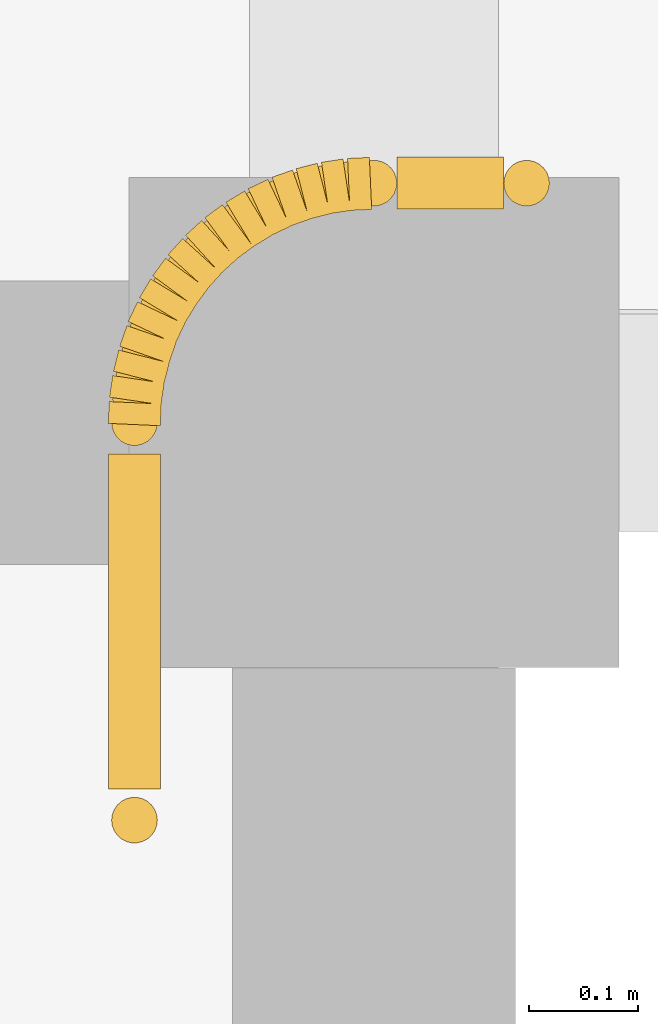
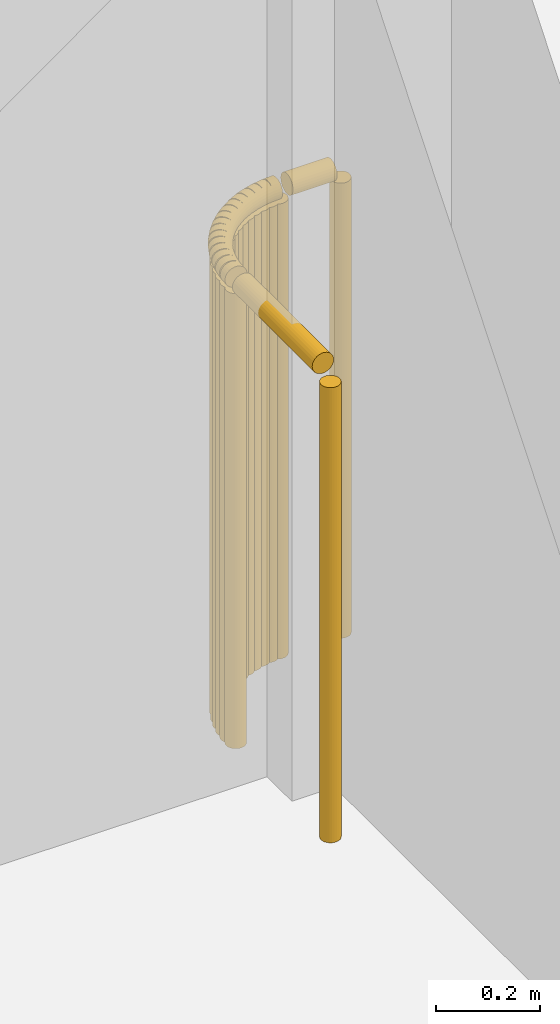
# One storey, part 57 of 57: 1 railing.
"""IFC4 building model written with IfcOpenShell, lengths in metres."""

import ifcopenshell
import ifcopenshell.guid

model = None  # the IFC model being written
_history = None  # IfcOwnerHistory: only IFC2X3 demands one
_inside = {}  # id of a spatial element -> (the spatial element, [elements in it])
_under = {}  # id of a project, library or spatial element -> (it, [spatial elements below it])
_declared = {}  # id of a project -> (the project, [libraries it declares])
_typed = {}  # id of a type object -> (the type object, [elements of that type])
_made_of = {}  # id of a material, layer set ... -> (it, [elements and type objects made of it])


def new_model(schema):
    """Start an empty IFC model of exactly this schema.

    Asked for "IFC4X3", IfcOpenShell would pick the latest addendum, in which some entities
    have other attributes; the version numbers below select the first issue.
    IFC2X3 requires an IfcOwnerHistory on every rooted entity: one is made here for all.
    """
    global model, _history
    if schema == "IFC4X3":
        model = ifcopenshell.file(schema_version=(4, 3, 0, 0))
    else:
        model = ifcopenshell.file(schema=schema)
    _inside.clear()
    _under.clear()
    _declared.clear()
    _typed.clear()
    _made_of.clear()
    _history = None
    if model.schema == "IFC2X3":
        org = make("IfcOrganization", Name="unknown")
        user = make(
            "IfcPersonAndOrganization",
            ThePerson=make("IfcPerson", FamilyName="unknown"),
            TheOrganization=org,
        )
        app = make(
            "IfcApplication",
            ApplicationDeveloper=org,
            Version="unknown",
            ApplicationFullName="unknown",
            ApplicationIdentifier="unknown",
        )
        _history = make(
            "IfcOwnerHistory",
            OwningUser=user,
            OwningApplication=app,
            ChangeAction="ADDED",
            CreationDate=0,
        )
    return model


def make(cls, **values):
    """One entity of the class cls with the attributes given. An attribute that is None is left unset."""
    return model.create_entity(
        cls, **{name: value for name, value in values.items() if value is not None}
    )


def rooted(cls, **values):
    """An entity with a GlobalId (a new one), such as an element, a storey or a relation."""
    return make(cls, GlobalId=ifcopenshell.guid.new(), OwnerHistory=_history, **values)


def si_unit(unit_type, name, prefix=None):
    """IfcSIUnit, for example si_unit("LENGTHUNIT", "METRE", prefix="MILLI")."""
    return make("IfcSIUnit", UnitType=unit_type, Prefix=prefix, Name=name)


def assignment(units):
    """IfcUnitAssignment: the units of a project."""
    return None if units is None else make("IfcUnitAssignment", Units=units)


def point(xyz):
    """IfcCartesianPoint."""
    return None if xyz is None else make("IfcCartesianPoint", Coordinates=xyz)


def direction(xyz):
    """IfcDirection."""
    return None if xyz is None else make("IfcDirection", DirectionRatios=xyz)


def frame(location, z_axis=None, x_axis=None):
    """IfcAxis2Placement3D, a coordinate frame: its origin and axes. An axis left out is left unset."""
    return make(
        "IfcAxis2Placement3D",
        Location=point(location),
        Axis=direction(z_axis),
        RefDirection=direction(x_axis),
    )


def frame_2d(location, x_axis=None):
    """IfcAxis2Placement2D, a coordinate frame in the plane: its origin and x axis."""
    return make(
        "IfcAxis2Placement2D", Location=point(location), RefDirection=direction(x_axis)
    )


def origin():
    """The frame at (0, 0, 0) with its axes left unset."""
    return frame((0.0, 0.0, 0.0))


def origin_2d():
    """The frame at (0, 0) in the plane with its x axis left unset."""
    return frame_2d((0.0, 0.0))


def place(relative_to, where):
    """IfcLocalPlacement: puts the frame where relative to a parent placement (None: the world)."""
    return make(
        "IfcLocalPlacement", PlacementRelTo=relative_to, RelativePlacement=where
    )


def context(
    kind, dimensions, precision=None, world=None, true_north=None, identifier=None
):
    """IfcGeometricRepresentationContext, for example the 3D "Model" context."""
    return make(
        "IfcGeometricRepresentationContext",
        ContextIdentifier=identifier,
        ContextType=kind,
        CoordinateSpaceDimension=dimensions,
        Precision=precision,
        WorldCoordinateSystem=world,
        TrueNorth=true_north,
    )


def subcontext(parent, identifier, kind, view, scale=None):
    """IfcGeometricRepresentationSubContext, for example "Body" below "Model"."""
    return make(
        "IfcGeometricRepresentationSubContext",
        ContextIdentifier=identifier,
        ContextType=kind,
        ParentContext=parent,
        TargetScale=scale,
        TargetView=view,
    )


def project(units=None, contexts=None):
    """IfcProject with its units and contexts."""
    return rooted(
        "IfcProject",
        Name="project",
        RepresentationContexts=contexts,
        UnitsInContext=assignment(units),
    )


def spatial(cls, under=None, at=None, **own):
    """A site, building, storey or space (cls), placed at a placement, below another one or the project."""
    s = rooted(cls, ObjectPlacement=at, **own)
    if under is not None:
        _under.setdefault(under.id(), (under, []))[1].append(s)
    return s


def profile(cls, at=None, kind="AREA", **sizes):
    """A parametric profile (cls). Its sizes go by their IFC names, for example OverallWidth=200.0."""
    return make(cls, ProfileType=kind, Position=at, **sizes)


def circle(**sizes):
    """IfcCircleProfileDef."""
    return profile("IfcCircleProfileDef", **sizes)


def extrude(swept, where, along, depth):
    """IfcExtrudedAreaSolid: the profile swept, set in the frame where, extruded along a direction by depth."""
    return make(
        "IfcExtrudedAreaSolid",
        SweptArea=swept,
        Position=where,
        ExtrudedDirection=direction(along),
        Depth=depth,
    )


def shape(context_of_items, identifier, shape_type, items):
    """IfcShapeRepresentation: the items that make up one representation, for example the "Body"."""
    return make(
        "IfcShapeRepresentation",
        ContextOfItems=context_of_items,
        RepresentationIdentifier=identifier,
        RepresentationType=shape_type,
        Items=items,
    )


def material(Name=None, Category=None):
    """IfcMaterial."""
    return make("IfcMaterial", Name=Name, Category=Category)


def made_of(thing, what):
    """Note that an element or type object is made of a material, layer set ...; save() writes the relation."""
    if what is not None:
        _made_of.setdefault(what.id(), (what, []))[1].append(thing)
    return thing


def type_object(cls, material=None, **own):
    """A type object (cls), such as IfcWallType, which elements share."""
    return made_of(rooted(cls, **own), material)


def element(
    cls,
    number,
    at=None,
    inside=None,
    cuts=None,
    type_object=None,
    material=None,
    context=None,
    identifier="Body",
    shape_type=None,
    held_by="IfcProductDefinitionShape",
    body=None,
    shapes=None,
    **own,
):
    """One element of the class cls, such as IfcWall. Its Tag is "e" and its number.

    at: its placement. inside: the storey or other place that contains it. cuts: it is an
    opening in that element (IfcRelVoidsElement). A single representation is given by context,
    identifier, shape_type and body (its items); several are given by shapes. held_by: the class
    of the entity that holds the representations. save() writes the other relations.
    """
    e = rooted(cls, Tag="e%d" % number, ObjectPlacement=at, **own)
    if body is not None:
        shapes = [shape(context, identifier, shape_type, body)]
    if shapes is not None:
        e.Representation = make(held_by, Representations=shapes)
    if inside is not None:
        _inside.setdefault(inside.id(), (inside, []))[1].append(e)
    if cuts is not None:
        rooted(
            "IfcRelVoidsElement", RelatingBuildingElement=cuts, RelatedOpeningElement=e
        )
    if type_object is not None:
        _typed.setdefault(type_object.id(), (type_object, []))[1].append(e)
    return made_of(e, material)


def aggregate(whole, parts):
    """IfcRelAggregates: a whole, such as a stair, and the parts it consists of."""
    return rooted("IfcRelAggregates", RelatingObject=whole, RelatedObjects=parts)


def save(model, path):
    """Write the relations noted so far, then the file.

    IfcRelAggregates (storeys below a building ...), IfcRelContainedInSpatialStructure (elements
    in a storey), IfcRelDefinesByType, IfcRelAssociatesMaterial and IfcRelDeclares: one each for
    every whole, place, type object, material and project.
    """
    for whole, parts in _under.values():
        aggregate(whole, parts)
    for where, things in _inside.values():
        rooted(
            "IfcRelContainedInSpatialStructure",
            RelatedElements=things,
            RelatingStructure=where,
        )
    for kind, things in _typed.values():
        rooted("IfcRelDefinesByType", RelatedObjects=things, RelatingType=kind)
    for what, things in _made_of.values():
        rooted("IfcRelAssociatesMaterial", RelatedObjects=things, RelatingMaterial=what)
    for by, libraries in _declared.values():
        rooted("IfcRelDeclares", RelatingContext=by, RelatedDefinitions=libraries)
    model.write(path)


model = new_model("IFC4")

# Units and contexts
model_context = context("Model", 3, precision=1e-05, world=origin(), true_north=direction((0.0, 1.0)))
body_context = subcontext(model_context, "Body", "Model", "MODEL_VIEW")
ifc_project = project(units=[si_unit("LENGTHUNIT", "METRE"), si_unit("AREAUNIT", "SQUARE_METRE"), si_unit("VOLUMEUNIT", "CUBIC_METRE"), si_unit("PLANEANGLEUNIT", "RADIAN"), si_unit("MASSUNIT", "GRAM", prefix="KILO")], contexts=[model_context])

# Site, building, storey
site_placement = place(None, origin())
site = spatial("IfcSite", under=ifc_project, at=site_placement, CompositionType="ELEMENT")
building_placement = place(site_placement, origin())
building = spatial("IfcBuilding", under=site, at=building_placement, Name="Zuvorla Pavilion Media Centre", CompositionType="ELEMENT")
storey_placement = place(building_placement, frame((0.0, 0.0, 18.0)))
storey = spatial("IfcBuildingStorey", under=building, at=storey_placement, Name="L04", CompositionType="ELEMENT", Elevation=18.0)

# Railing
ifc_material = material(Name="Powder-coated steel balustrade guard", Category="steel")
railing_type = type_object("IfcRailingType", Name="RL-INT-GRD", PredefinedType="BALUSTRADE", material=ifc_material)
railing_placement = place(storey_placement, frame((108.940185546875, 44.219970703125, 0.0)))
element("IfcRailing", 1, at=railing_placement, inside=storey, type_object=railing_type, Name="L04 slab edge guard 118", PredefinedType="BALUSTRADE", context=body_context, shape_type="SweptSolid", body=[
    extrude(circle(Radius=0.02392578125, at=origin_2d()), frame((-0.02099609375, 0.0, 1.09619140625), z_axis=(-1.0, 0.0, 0.0), x_axis=(0.0, -1.0, 0.0)), (0.0, 0.0, 1.0), 0.09814453125),
    extrude(circle(Radius=0.02392578125, at=origin_2d()), frame((-0.143310546875, -0.000244140625, 1.09619140625), z_axis=(-0.99899155401, -0.044898496809, 0.0), x_axis=(0.044898496809, -0.99899155401, 0.0)), (0.0, 0.0, 1.0), 0.02001953125),
    extrude(circle(Radius=0.02392578125, at=origin_2d()), frame((-0.1650390625, -0.00146484375, 1.09619140625), z_axis=(-0.989019580795, -0.147784535061, 0.0), x_axis=(0.147784535061, -0.989019580795, 0.0)), (0.0, 0.0, 1.0), 0.02001953125),
    extrude(circle(Radius=0.02392578125, at=origin_2d()), frame((-0.186279296875, -0.0048828125, 1.09619140625), z_axis=(-0.968802704478, -0.247833249983, 0.0), x_axis=(0.247833249983, -0.968802704478, 0.0)), (0.0, 0.0, 1.0), 0.02001953125),
    extrude(circle(Radius=0.02392578125, at=origin_2d()), frame((-0.20703125, -0.010498046875, 1.09619140625), z_axis=(-0.94403554212, -0.329843743632, 0.0), x_axis=(0.329843743632, -0.94403554212, 0.0)), (0.0, 0.0, 1.0), 0.02001953125),
    extrude(circle(Radius=0.02392578125, at=origin_2d()), frame((-0.227294921875, -0.01806640625, 1.09619140625), z_axis=(-0.903277504354, -0.429056814568, 0.0), x_axis=(0.429056814568, -0.903277504354, 0.0)), (0.0, 0.0, 1.0), 0.02001953125),
    extrude(circle(Radius=0.02392578125, at=origin_2d()), frame((-0.24658203125, -0.027587890625, 1.09619140625), z_axis=(-0.855500079018, -0.517802679406, 0.0), x_axis=(0.517802679406, -0.855500079018, 0.0)), (0.0, 0.0, 1.0), 0.02001953125),
    extrude(circle(Radius=0.02392578125, at=origin_2d()), frame((-0.26513671875, -0.0390625, 1.09619140625), z_axis=(-0.806766093747, -0.590870941899, 0.0), x_axis=(0.590870941899, -0.806766093747, 0.0)), (0.0, 0.0, 1.0), 0.02001953125),
    extrude(circle(Radius=0.02392578125, at=origin_2d()), frame((-0.2822265625, -0.052001953125, 1.09619140625), z_axis=(-0.739940073396, -0.672672793996, 0.0), x_axis=(0.672672793996, -0.739940073396, 0.0)), (0.0, 0.0, 1.0), 0.02001953125),
    extrude(circle(Radius=0.02392578125, at=origin_2d()), frame((-0.298095703125, -0.06689453125, 1.09619140625), z_axis=(-0.672105592782, -0.740455314082, 0.0), x_axis=(0.740455314082, -0.672105592782, 0.0)), (0.0, 0.0, 1.0), 0.02001953125),
    extrude(circle(Radius=0.02392578125, at=origin_2d()), frame((-0.312255859375, -0.0830078125, 1.09619140625), z_axis=(-0.590870941899, -0.806766093747, 0.0), x_axis=(0.806766093747, -0.590870941899, 0.0)), (0.0, 0.0, 1.0), 0.02001953125),
    extrude(circle(Radius=0.02392578125, at=origin_2d()), frame((-0.32470703125, -0.100341796875, 1.09619140625), z_axis=(-0.517802679406, -0.855500079018, 0.0), x_axis=(0.855500079018, -0.517802679406, 0.0)), (0.0, 0.0, 1.0), 0.02001953125),
    extrude(circle(Radius=0.02392578125, at=origin_2d()), frame((-0.335693359375, -0.119140625, 1.09619140625), z_axis=(-0.429056814568, -0.903277504354, 0.0), x_axis=(0.903277504354, -0.429056814568, 0.0)), (0.0, 0.0, 1.0), 0.02001953125),
    extrude(circle(Radius=0.02392578125, at=origin_2d()), frame((-0.344482421875, -0.138671875, 1.09619140625), z_axis=(-0.329843743632, -0.94403554212, 0.0), x_axis=(0.94403554212, -0.329843743632, 0.0)), (0.0, 0.0, 1.0), 0.02001953125),
    extrude(circle(Radius=0.02392578125, at=origin_2d()), frame((-0.351318359375, -0.1591796875, 1.09619140625), z_axis=(-0.247833249983, -0.968802704478, 0.0), x_axis=(0.968802704478, -0.247833249983, 0.0)), (0.0, 0.0, 1.0), 0.02001953125),
    extrude(circle(Radius=0.02392578125, at=origin_2d()), frame((-0.3564453125, -0.18017578125, 1.09619140625), z_axis=(-0.146141233759, -0.989263736218, 0.0), x_axis=(0.989263736218, -0.146141233759, 0.0)), (0.0, 0.0, 1.0), 0.02001953125),
    extrude(circle(Radius=0.02392578125, at=origin_2d()), frame((-0.359375, -0.20166015625, 1.09619140625), z_axis=(-0.045407660919, -0.99896854021, 0.0), x_axis=(0.99896854021, -0.045407660919, 0.0)), (0.0, 0.0, 1.0), 0.02001953125),
    extrude(circle(Radius=0.02392578125, at=origin_2d()), frame((-0.360107421875, -0.248779296875, 1.09619140625), z_axis=(0.0, -1.0, 0.0), x_axis=(1.0, 0.0, 0.0)), (0.0, 0.0, 1.0), 0.307373046875),
    extrude(circle(Radius=0.02099609375, at=origin_2d()), origin(), (0.0, 0.0, 1.0), 1.070068359375),
    extrude(circle(Radius=0.02099609375, at=origin_2d()), frame((-0.14013671875, 0.0, 0.0)), (0.0, 0.0, 1.0), 1.070068359375),
    extrude(circle(Radius=0.02099609375, at=origin_2d()), frame((-0.161865234375, -0.0009765625, 0.0)), (0.0, 0.0, 1.0), 1.070068359375),
    extrude(circle(Radius=0.02099609375, at=origin_2d()), frame((-0.18310546875, -0.004150390625, 0.0)), (0.0, 0.0, 1.0), 1.070068359375),
    extrude(circle(Radius=0.02099609375, at=origin_2d()), frame((-0.2041015625, -0.009521484375, 0.0)), (0.0, 0.0, 1.0), 1.070068359375),
    extrude(circle(Radius=0.02099609375, at=origin_2d()), frame((-0.224365234375, -0.0166015625, 0.0)), (0.0, 0.0, 1.0), 1.070068359375),
    extrude(circle(Radius=0.02099609375, at=origin_2d()), frame((-0.243896484375, -0.02587890625, 0.0)), (0.0, 0.0, 1.0), 1.070068359375),
    extrude(circle(Radius=0.02099609375, at=origin_2d()), frame((-0.262451171875, -0.037109375, 0.0)), (0.0, 0.0, 1.0), 1.070068359375),
    extrude(circle(Radius=0.02099609375, at=origin_2d()), frame((-0.27978515625, -0.0498046875, 0.0)), (0.0, 0.0, 1.0), 1.070068359375),
    extrude(circle(Radius=0.02099609375, at=origin_2d()), frame((-0.2958984375, -0.064453125, 0.0)), (0.0, 0.0, 1.0), 1.070068359375),
    extrude(circle(Radius=0.02099609375, at=origin_2d()), frame((-0.310302734375, -0.080322265625, 0.0)), (0.0, 0.0, 1.0), 1.070068359375),
    extrude(circle(Radius=0.02099609375, at=origin_2d()), frame((-0.322998046875, -0.09765625, 0.0)), (0.0, 0.0, 1.0), 1.070068359375),
    extrude(circle(Radius=0.02099609375, at=origin_2d()), frame((-0.334228515625, -0.1162109375, 0.0)), (0.0, 0.0, 1.0), 1.070068359375),
    extrude(circle(Radius=0.02099609375, at=origin_2d()), frame((-0.343505859375, -0.1357421875, 0.0)), (0.0, 0.0, 1.0), 1.070068359375),
    extrude(circle(Radius=0.02099609375, at=origin_2d()), frame((-0.3505859375, -0.156005859375, 0.0)), (0.0, 0.0, 1.0), 1.070068359375),
    extrude(circle(Radius=0.02099609375, at=origin_2d()), frame((-0.35595703125, -0.177001953125, 0.0)), (0.0, 0.0, 1.0), 1.070068359375),
    extrude(circle(Radius=0.02099609375, at=origin_2d()), frame((-0.359130859375, -0.198486328125, 0.0)), (0.0, 0.0, 1.0), 1.070068359375),
    extrude(circle(Radius=0.02099609375, at=origin_2d()), frame((-0.360107421875, -0.219970703125, 0.0)), (0.0, 0.0, 1.0), 1.070068359375),
    extrude(circle(Radius=0.02099609375, at=origin_2d()), frame((-0.360107421875, -0.5849609375, 0.0)), (0.0, 0.0, 1.0), 1.070068359375),
])

save(model, "model.ifc")
